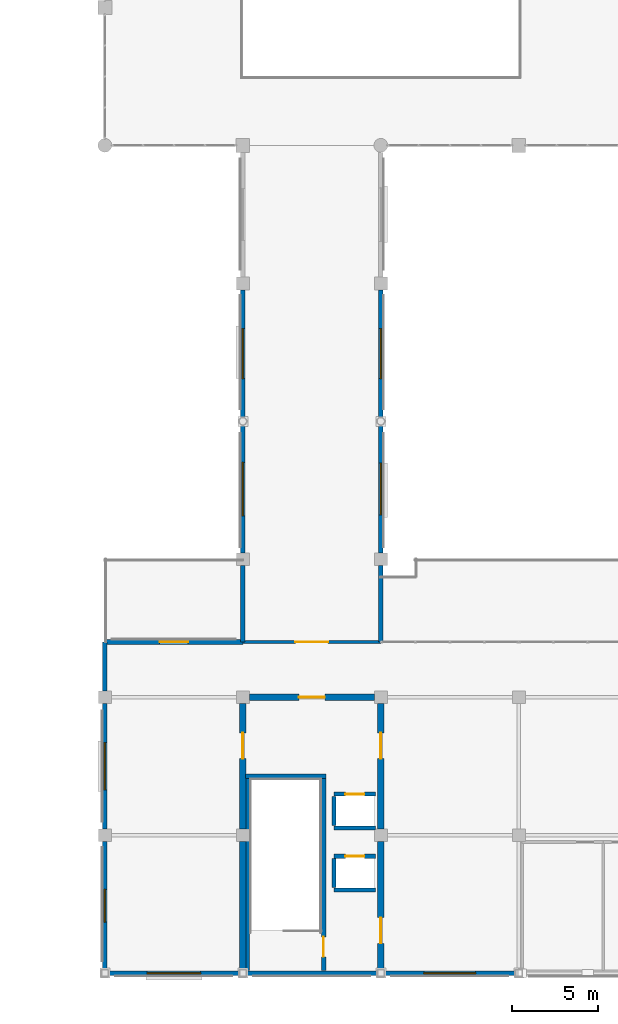
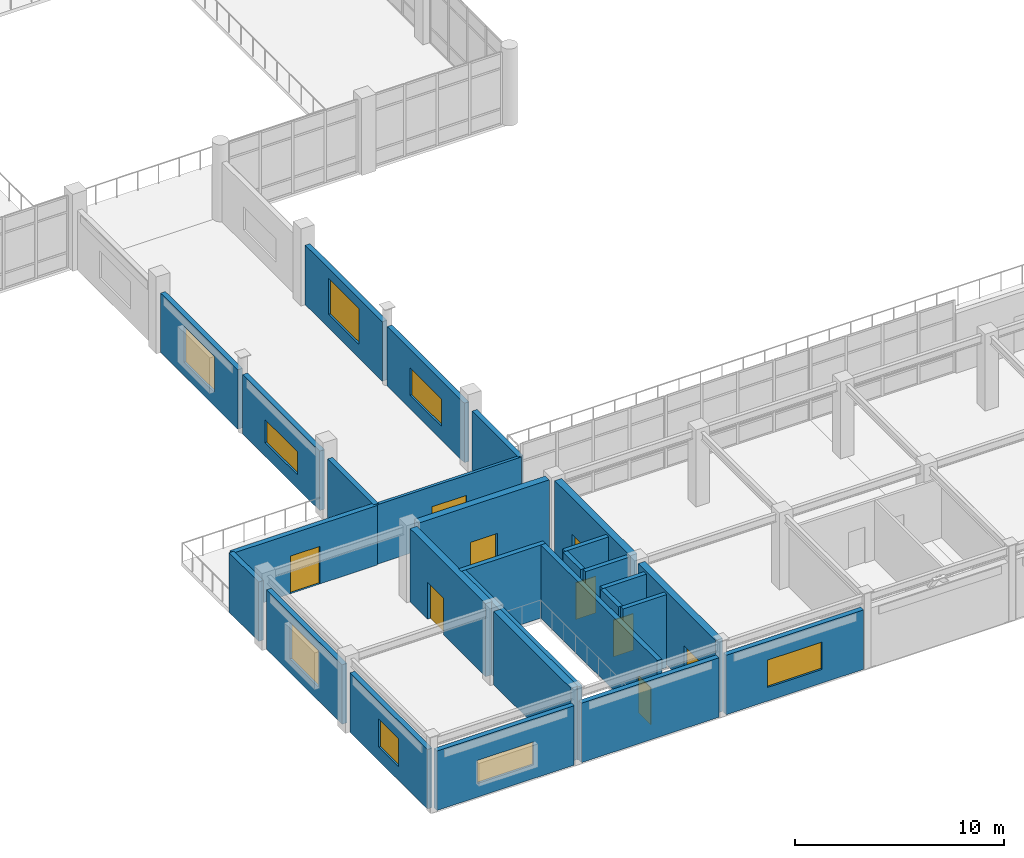
# One storey, part 31 of 42: 28 walls, 9 doors, 8 windows, 17 openings.
"""IFC4 building model written with IfcOpenShell, lengths in metres."""

from ifc_helpers import new_model, si_unit, direction, frame, frame_2d, origin, place, context, subcontext, project, spatial, rectangle, extrude, material, layer, layer_set, type_object, element, fill, save


model = new_model("IFC4")

# Units and contexts
model_context = context("Model", 3, precision=1e-05, world=origin(), true_north=direction((0.0, 1.0)))
body_context = subcontext(model_context, "Body", "Model", "MODEL_VIEW")
ifc_project = project(units=[si_unit("LENGTHUNIT", "METRE"), si_unit("AREAUNIT", "SQUARE_METRE"), si_unit("VOLUMEUNIT", "CUBIC_METRE"), si_unit("PLANEANGLEUNIT", "RADIAN"), si_unit("MASSUNIT", "GRAM", prefix="KILO")], contexts=[model_context])

# Site, building, storey
site_placement = place(None, origin())
site = spatial("IfcSite", under=ifc_project, at=site_placement, CompositionType="ELEMENT")
building_placement = place(site_placement, origin())
building = spatial("IfcBuilding", under=site, at=building_placement, Name="Solmirada Galleria", CompositionType="ELEMENT")
storey_placement = place(building_placement, frame((0.0, 0.0, 28.39990234375)))
storey = spatial("IfcBuildingStorey", under=building, at=storey_placement, Name="L06", CompositionType="ELEMENT", Elevation=28.39990234375)

# Wall, opening, door
ifc_material_1 = material(Name="Concrete C40/50", Category="concrete")
ifc_layer_1 = layer(ifc_material_1, 0.3798828125)
ifc_layer_set_1 = layer_set([ifc_layer_1], Name="Concrete C40/50")
wall_type_1 = type_object("IfcWallType", Name="WL-CORE-380", PredefinedType="SHEAR", material=ifc_layer_set_1)
wall_1_placement = place(storey_placement, frame((88.375, 16.0, 0.0), z_axis=(0.0, 0.0, 1.0), x_axis=(1.0, 0.0, 0.0)))
wall_1 = element("IfcWall", 1, at=wall_1_placement, inside=storey, type_object=wall_type_1, Name="Core C2 shear wall L06 N1", PredefinedType="SHEAR", context=body_context, shape_type="SweptSolid", body=[
    extrude(rectangle(XDim=7.25, YDim=0.3798828125, at=frame_2d((3.625, 0.0))), origin(), (0.0, 0.0, 1.0), 4.280029296875),
])
opening_1_placement = place(wall_1_placement, frame((2.875, 0.0, 0.0)))
opening_1 = element("IfcOpeningElement", 2, at=opening_1_placement, cuts=wall_1, Name="Opening LDY-165", PredefinedType="OPENING", context=body_context, shape_type="SweptSolid", body=[
    extrude(rectangle(XDim=1.5, YDim=2.14990234375, at=frame_2d((0.75, 1.074951171875))), frame((0.0, 0.199951171875, 0.0), z_axis=(0.0, -1.0, 0.0), x_axis=(1.0, 0.0, 0.0)), (0.0, 0.0, 1.0), 0.39990234375),
])
ifc_material_2 = material(Name="Fire-rated painted steel door assembly", Category="steel")
door_type_1 = type_object("IfcDoorType", Name="DR-LOBBY-150X215", OperationType="DOUBLE_DOOR_SINGLE_SWING", PredefinedType="DOOR", material=ifc_material_2)
door_1_placement = place(opening_1_placement, origin())
door_1 = element("IfcDoor", 3, at=door_1_placement, inside=storey, type_object=door_type_1, Name="Core C2 lobby access fire door LDY-165", OperationType="DOUBLE_DOOR_SINGLE_SWING", OverallHeight=2.14990234375, OverallWidth=1.5, PredefinedType="DOOR", context=body_context, shape_type="SweptSolid", body=[
    extrude(rectangle(XDim=1.5, YDim=2.14990234375, at=frame_2d((0.75, 1.074951171875))), frame((0.0, 0.02490234375, 0.0), z_axis=(0.0, -1.0, 0.0), x_axis=(1.0, 0.0, 0.0)), (0.0, 0.0, 1.0), 0.050048828125),
])
fill(opening_1, door_1)

# Wall
wall_2_placement = place(storey_placement, frame((88.0, 0.202880859375, 0.0), z_axis=(0.0, 0.0, 1.0), x_axis=(0.0, 1.0, 0.0)))
element("IfcWall", 4, at=wall_2_placement, inside=storey, type_object=wall_type_1, Name="Core C2 shear wall L06 W1", PredefinedType="SHEAR", context=body_context, shape_type="SweptSolid", body=[
    extrude(rectangle(XDim=7.422119140625, YDim=0.3798828125, at=frame_2d((3.7109375, 0.0))), origin(), (0.0, 0.0, 1.0), 4.280029296875),
])

# Wall, opening, door
wall_3_placement = place(storey_placement, frame((88.0, 8.375, 0.0), z_axis=(0.0, 0.0, 1.0), x_axis=(0.0, 1.0, 0.0)))
wall_3 = element("IfcWall", 5, at=wall_3_placement, inside=storey, type_object=wall_type_1, Name="Core C2 shear wall L06 W2", PredefinedType="SHEAR", context=body_context, shape_type="SweptSolid", body=[
    extrude(rectangle(XDim=7.25, YDim=0.3798828125, at=frame_2d((3.625, 0.0))), origin(), (0.0, 0.0, 1.0), 4.280029296875),
])
opening_2_placement = place(wall_3_placement, frame((4.06201171875, 0.0, 0.0)))
opening_2 = element("IfcOpeningElement", 6, at=opening_2_placement, cuts=wall_3, Name="Opening LDY-166", PredefinedType="OPENING", context=body_context, shape_type="SweptSolid", body=[
    extrude(rectangle(XDim=1.5, YDim=2.14990234375, at=frame_2d((0.75, 1.074951171875))), frame((0.0, 0.199951171875, 0.0), z_axis=(0.0, -1.0, 0.0), x_axis=(1.0, 0.0, 0.0)), (0.0, 0.0, 1.0), 0.39990234375),
])
door_2_placement = place(opening_2_placement, origin())
door_2 = element("IfcDoor", 7, at=door_2_placement, inside=storey, type_object=door_type_1, Name="Core C2 lobby access fire door LDY-166", OperationType="DOUBLE_DOOR_SINGLE_SWING", OverallHeight=2.14990234375, OverallWidth=1.5, PredefinedType="DOOR", context=body_context, shape_type="SweptSolid", body=[
    extrude(rectangle(XDim=1.5, YDim=2.14990234375, at=frame_2d((0.75, 1.074951171875))), frame((0.0, 0.02490234375, 0.0), z_axis=(0.0, -1.0, 0.0), x_axis=(1.0, 0.0, 0.0)), (0.0, 0.0, 1.0), 0.050048828125),
])
fill(opening_2, door_2)

wall_4_placement = place(storey_placement, frame((96.0, 0.202880859375, 0.0), z_axis=(0.0, 0.0, 1.0), x_axis=(0.0, 1.0, 0.0)))
wall_4 = element("IfcWall", 8, at=wall_4_placement, inside=storey, type_object=wall_type_1, Name="Core C2 shear wall L06 E1", PredefinedType="SHEAR", context=body_context, shape_type="SweptSolid", body=[
    extrude(rectangle(XDim=7.422119140625, YDim=0.3798828125, at=frame_2d((3.7109375, 0.0))), origin(), (0.0, 0.0, 1.0), 4.280029296875),
])
opening_3_placement = place(wall_4_placement, frame((1.52294921875, 0.0, 0.0)))
opening_3 = element("IfcOpeningElement", 9, at=opening_3_placement, cuts=wall_4, Name="Opening LDY-167", PredefinedType="OPENING", context=body_context, shape_type="SweptSolid", body=[
    extrude(rectangle(XDim=1.5, YDim=2.14990234375, at=frame_2d((0.75, 1.074951171875))), frame((0.0, 0.199951171875, 0.0), z_axis=(0.0, -1.0, 0.0), x_axis=(1.0, 0.0, 0.0)), (0.0, 0.0, 1.0), 0.39990234375),
])
door_3_placement = place(opening_3_placement, origin())
door_3 = element("IfcDoor", 10, at=door_3_placement, inside=storey, type_object=door_type_1, Name="Core C2 lobby access fire door LDY-167", OperationType="DOUBLE_DOOR_SINGLE_SWING", OverallHeight=2.14990234375, OverallWidth=1.5, PredefinedType="DOOR", context=body_context, shape_type="SweptSolid", body=[
    extrude(rectangle(XDim=1.5, YDim=2.14990234375, at=frame_2d((0.75, 1.074951171875))), frame((0.0, 0.02490234375, 0.0), z_axis=(0.0, -1.0, 0.0), x_axis=(1.0, 0.0, 0.0)), (0.0, 0.0, 1.0), 0.050048828125),
])
fill(opening_3, door_3)

wall_5_placement = place(storey_placement, frame((96.0, 8.375, 0.0), z_axis=(0.0, 0.0, 1.0), x_axis=(0.0, 1.0, 0.0)))
wall_5 = element("IfcWall", 11, at=wall_5_placement, inside=storey, type_object=wall_type_1, Name="Core C2 shear wall L06 E2", PredefinedType="SHEAR", context=body_context, shape_type="SweptSolid", body=[
    extrude(rectangle(XDim=7.25, YDim=0.3798828125, at=frame_2d((3.625, 0.0))), origin(), (0.0, 0.0, 1.0), 4.280029296875),
])
opening_4_placement = place(wall_5_placement, frame((4.06201171875, 0.0, 0.0)))
opening_4 = element("IfcOpeningElement", 12, at=opening_4_placement, cuts=wall_5, Name="Opening LDY-168", PredefinedType="OPENING", context=body_context, shape_type="SweptSolid", body=[
    extrude(rectangle(XDim=1.5, YDim=2.14990234375, at=frame_2d((0.75, 1.074951171875))), frame((0.0, 0.199951171875, 0.0), z_axis=(0.0, -1.0, 0.0), x_axis=(1.0, 0.0, 0.0)), (0.0, 0.0, 1.0), 0.39990234375),
])
door_4_placement = place(opening_4_placement, origin())
door_4 = element("IfcDoor", 13, at=door_4_placement, inside=storey, type_object=door_type_1, Name="Core C2 lobby access fire door LDY-168", OperationType="DOUBLE_DOOR_SINGLE_SWING", OverallHeight=2.14990234375, OverallWidth=1.5, PredefinedType="DOOR", context=body_context, shape_type="SweptSolid", body=[
    extrude(rectangle(XDim=1.5, YDim=2.14990234375, at=frame_2d((0.75, 1.074951171875))), frame((0.0, 0.02490234375, 0.0), z_axis=(0.0, -1.0, 0.0), x_axis=(1.0, 0.0, 0.0)), (0.0, 0.0, 1.0), 0.050048828125),
])
fill(opening_4, door_4)

# Wall, opening, window
ifc_material_3 = material(Name="Precast concrete C40/50", Category="concrete")
ifc_layer_2 = layer(ifc_material_3, 0.27001953125)
ifc_layer_set_2 = layer_set([ifc_layer_2], Name="Precast concrete C40/50")
wall_type_2 = type_object("IfcWallType", Name="WL-EXT-270", PredefinedType="STANDARD", material=ifc_layer_set_2)
wall_6_placement = place(storey_placement, frame((103.797119140625, 0.0, 0.0), z_axis=(0.0, 0.0, 1.0), x_axis=(-1.0, 0.0, 0.0)))
wall_6 = element("IfcWall", 14, at=wall_6_placement, inside=storey, type_object=wall_type_2, Name="Exterior wall L06 bay 008", PredefinedType="STANDARD", context=body_context, shape_type="SweptSolid", body=[
    extrude(rectangle(XDim=7.59423828125, YDim=0.27001953125, at=frame_2d((3.797119140625, 0.0))), origin(), (0.0, 0.0, 1.0), 3.47998046875),
])
opening_5_placement = place(wall_6_placement, frame((2.297119140625, 0.0, 0.800048828125)))
opening_5 = element("IfcOpeningElement", 15, at=opening_5_placement, cuts=wall_6, Name="Opening WN23", PredefinedType="OPENING", context=body_context, shape_type="SweptSolid", body=[
    extrude(rectangle(XDim=3.0, YDim=1.60009765625, at=frame_2d((1.5, 0.800048828125))), frame((0.0, 0.14501953125, 0.0), z_axis=(0.0, -1.0, 0.0), x_axis=(1.0, 0.0, 0.0)), (0.0, 0.0, 1.0), 0.2900390625),
])
ifc_material_4 = material(Name="Impact-resistant low-E double glazing", Category="glass")
window_type_1 = type_object("IfcWindowType", Name="WIN-RIB-300X160", PartitioningType="TRIPLE_PANEL_VERTICAL", PredefinedType="WINDOW", material=ifc_material_4)
window_1_placement = place(opening_5_placement, origin())
window_1 = element("IfcWindow", 16, at=window_1_placement, inside=storey, type_object=window_type_1, Name="Window L06-193", OverallHeight=1.60009765625, OverallWidth=3.0, PartitioningType="TRIPLE_PANEL_VERTICAL", PredefinedType="WINDOW", context=body_context, shape_type="SweptSolid", body=[
    extrude(rectangle(XDim=3.0, YDim=1.60009765625, at=frame_2d((1.5, 0.800048828125))), frame((0.0, 0.030029296875, 0.0), z_axis=(0.0, -1.0, 0.0), x_axis=(1.0, 0.0, 0.0)), (0.0, 0.0, 1.0), 0.06005859375),
])
fill(opening_5, window_1)

# Wall
wall_7_placement = place(storey_placement, frame((95.797119140625, 0.0, 0.0), z_axis=(0.0, 0.0, 1.0), x_axis=(-1.0, 0.0, 0.0)))
element("IfcWall", 17, at=wall_7_placement, inside=storey, type_object=wall_type_2, Name="Exterior wall L06 bay 009", PredefinedType="STANDARD", context=body_context, shape_type="SweptSolid", body=[
    extrude(rectangle(XDim=7.59423828125, YDim=0.27001953125, at=frame_2d((3.797119140625, 0.0))), origin(), (0.0, 0.0, 1.0), 3.47998046875),
])

# Wall, opening, window
wall_8_placement = place(storey_placement, frame((87.797119140625, 0.0, 0.0), z_axis=(0.0, 0.0, 1.0), x_axis=(-1.0, 0.0, 0.0)))
wall_8 = element("IfcWall", 18, at=wall_8_placement, inside=storey, type_object=wall_type_2, Name="Exterior wall L06 bay 010", PredefinedType="STANDARD", context=body_context, shape_type="SweptSolid", body=[
    extrude(rectangle(XDim=7.59423828125, YDim=0.27001953125, at=frame_2d((3.797119140625, 0.0))), origin(), (0.0, 0.0, 1.0), 3.47998046875),
])
opening_6_placement = place(wall_8_placement, frame((2.2470703125, 0.0, 0.800048828125)))
opening_6 = element("IfcOpeningElement", 19, at=opening_6_placement, cuts=wall_8, Name="Opening WN35", PredefinedType="OPENING", context=body_context, shape_type="SweptSolid", body=[
    extrude(rectangle(XDim=3.10009765625, YDim=1.35009765625, at=frame_2d((1.550048828125, 0.675048828125))), frame((0.0, 0.14501953125, 0.0), z_axis=(0.0, -1.0, 0.0), x_axis=(1.0, 0.0, 0.0)), (0.0, 0.0, 1.0), 0.2900390625),
])
window_type_2 = type_object("IfcWindowType", Name="WIN-CLER-310X135", PartitioningType="TRIPLE_PANEL_VERTICAL", PredefinedType="WINDOW", material=ifc_material_4)
window_2_placement = place(opening_6_placement, origin())
window_2 = element("IfcWindow", 20, at=window_2_placement, inside=storey, type_object=window_type_2, Name="Window L06-194", OverallHeight=1.35009765625, OverallWidth=3.10009765625, PartitioningType="TRIPLE_PANEL_VERTICAL", PredefinedType="WINDOW", context=body_context, shape_type="SweptSolid", body=[
    extrude(rectangle(XDim=3.10009765625, YDim=1.35009765625, at=frame_2d((1.550048828125, 0.675048828125))), frame((0.0, 0.030029296875, 0.0), z_axis=(0.0, -1.0, 0.0), x_axis=(1.0, 0.0, 0.0)), (0.0, 0.0, 1.0), 0.06005859375),
])
fill(opening_6, window_2)

wall_9_placement = place(storey_placement, frame((80.0, 0.202880859375, 0.0), z_axis=(0.0, 0.0, 1.0), x_axis=(0.0, 1.0, 0.0)))
wall_9 = element("IfcWall", 21, at=wall_9_placement, inside=storey, type_object=wall_type_2, Name="Exterior wall L06 bay 011", PredefinedType="STANDARD", context=body_context, shape_type="SweptSolid", body=[
    extrude(rectangle(XDim=7.422119140625, YDim=0.27001953125, at=frame_2d((3.7109375, 0.0))), origin(), (0.0, 0.0, 1.0), 3.47998046875),
])
opening_7_placement = place(wall_9_placement, frame((2.760986328125, 0.0, 0.800048828125)))
opening_7 = element("IfcOpeningElement", 22, at=opening_7_placement, cuts=wall_9, Name="Opening WN18", PredefinedType="OPENING", context=body_context, shape_type="SweptSolid", body=[
    extrude(rectangle(XDim=1.89990234375, YDim=1.64990234375, at=frame_2d((0.949951171875, 0.824951171875))), frame((0.0, 0.14501953125, 0.0), z_axis=(0.0, -1.0, 0.0), x_axis=(1.0, 0.0, 0.0)), (0.0, 0.0, 1.0), 0.2900390625),
])
window_type_3 = type_object("IfcWindowType", Name="WIN-FH-190X165", PartitioningType="DOUBLE_PANEL_VERTICAL", PredefinedType="WINDOW", material=ifc_material_4)
window_3_placement = place(opening_7_placement, origin())
window_3 = element("IfcWindow", 23, at=window_3_placement, inside=storey, type_object=window_type_3, Name="Window L06-195", OverallHeight=1.64990234375, OverallWidth=1.89990234375, PartitioningType="DOUBLE_PANEL_VERTICAL", PredefinedType="WINDOW", context=body_context, shape_type="SweptSolid", body=[
    extrude(rectangle(XDim=1.89990234375, YDim=1.64990234375, at=frame_2d((0.949951171875, 0.824951171875))), frame((0.0, 0.030029296875, 0.0), z_axis=(0.0, -1.0, 0.0), x_axis=(1.0, 0.0, 0.0)), (0.0, 0.0, 1.0), 0.06005859375),
])
fill(opening_7, window_3)

wall_10_placement = place(storey_placement, frame((80.0, 8.375, 0.0), z_axis=(0.0, 0.0, 1.0), x_axis=(0.0, 1.0, 0.0)))
wall_10 = element("IfcWall", 24, at=wall_10_placement, inside=storey, type_object=wall_type_2, Name="Exterior wall L06 bay 012", PredefinedType="STANDARD", context=body_context, shape_type="SweptSolid", body=[
    extrude(rectangle(XDim=7.25, YDim=0.27001953125, at=frame_2d((3.625, 0.0))), origin(), (0.0, 0.0, 1.0), 3.47998046875),
])
opening_8_placement = place(wall_10_placement, frame((2.25, 0.0, 0.800048828125)))
opening_8 = element("IfcOpeningElement", 25, at=opening_8_placement, cuts=wall_10, Name="Opening WN33", PredefinedType="OPENING", context=body_context, shape_type="SweptSolid", body=[
    extrude(rectangle(XDim=2.75, YDim=2.14990234375, at=frame_2d((1.375, 1.074951171875))), frame((0.0, 0.14501953125, 0.0), z_axis=(0.0, -1.0, 0.0), x_axis=(1.0, 0.0, 0.0)), (0.0, 0.0, 1.0), 0.2900390625),
])
window_type_4 = type_object("IfcWindowType", Name="WIN-BRAS-275X215", PartitioningType="TRIPLE_PANEL_VERTICAL", PredefinedType="WINDOW", material=ifc_material_4)
window_4_placement = place(opening_8_placement, origin())
window_4 = element("IfcWindow", 26, at=window_4_placement, inside=storey, type_object=window_type_4, Name="Window L06-196", OverallHeight=2.14990234375, OverallWidth=2.75, PartitioningType="TRIPLE_PANEL_VERTICAL", PredefinedType="WINDOW", context=body_context, shape_type="SweptSolid", body=[
    extrude(rectangle(XDim=2.75, YDim=2.14990234375, at=frame_2d((1.375, 1.074951171875))), frame((0.0, 0.030029296875, 0.0), z_axis=(0.0, -1.0, 0.0), x_axis=(1.0, 0.0, 0.0)), (0.0, 0.0, 1.0), 0.06005859375),
])
fill(opening_8, window_4)

# Wall
wall_11_placement = place(storey_placement, frame((80.0, 16.375, 0.0), z_axis=(0.0, 0.0, 1.0), x_axis=(0.0, 1.0, 0.0)))
element("IfcWall", 27, at=wall_11_placement, inside=storey, type_object=wall_type_2, Name="Exterior wall L06 bay 013", PredefinedType="STANDARD", context=body_context, shape_type="SweptSolid", body=[
    extrude(rectangle(XDim=2.824951171875, YDim=0.27001953125, at=frame_2d((1.41259765625, 0.0))), origin(), (0.0, 0.0, 1.0), 3.47998046875),
])

# Wall, opening, door
wall_12_placement = place(storey_placement, frame((80.0, 19.199951171875, 0.0), z_axis=(0.0, 0.0, 1.0), x_axis=(1.0, 0.0, 0.0)))
wall_12 = element("IfcWall", 28, at=wall_12_placement, inside=storey, type_object=wall_type_2, Name="Exterior wall L06 bay 014", PredefinedType="STANDARD", context=body_context, shape_type="SweptSolid", body=[
    extrude(rectangle(XDim=8.0, YDim=0.27001953125, at=frame_2d((4.0, 0.0))), origin(), (0.0, 0.0, 1.0), 3.47998046875),
])
opening_9_placement = place(wall_12_placement, frame((3.175048828125, 0.0, 0.0)))
opening_9 = element("IfcOpeningElement", 29, at=opening_9_placement, cuts=wall_12, Name="Opening TD-081", PredefinedType="OPENING", context=body_context, shape_type="SweptSolid", body=[
    extrude(rectangle(XDim=1.64990234375, YDim=2.199951171875, at=frame_2d((0.824951171875, 1.10009765625))), frame((0.0, 0.14501953125, 0.0), z_axis=(0.0, -1.0, 0.0), x_axis=(1.0, 0.0, 0.0)), (0.0, 0.0, 1.0), 0.2900390625),
])
ifc_material_5 = material(Name="Thermally broken aluminium and laminated glass door", Category="aluminium")
door_type_2 = type_object("IfcDoorType", Name="DR-TERR-165X220", OperationType="DOUBLE_DOOR_SINGLE_SWING", PredefinedType="DOOR", material=ifc_material_5)
door_5_placement = place(opening_9_placement, origin())
door_5 = element("IfcDoor", 30, at=door_5_placement, inside=storey, type_object=door_type_2, Name="Planted terrace access door TD-081", OperationType="DOUBLE_DOOR_SINGLE_SWING", OverallHeight=2.199951171875, OverallWidth=1.64990234375, PredefinedType="DOOR", context=body_context, shape_type="SweptSolid", body=[
    extrude(rectangle(XDim=1.64990234375, YDim=2.199951171875, at=frame_2d((0.824951171875, 1.10009765625))), frame((0.0, 0.02490234375, 0.0), z_axis=(0.0, -1.0, 0.0), x_axis=(1.0, 0.0, 0.0)), (0.0, 0.0, 1.0), 0.050048828125),
])
fill(opening_9, door_5)

# Wall
wall_13_placement = place(storey_placement, frame((88.0, 19.199951171875, 0.0), z_axis=(0.0, 0.0, 1.0), x_axis=(0.0, 1.0, 0.0)))
element("IfcWall", 31, at=wall_13_placement, inside=storey, type_object=wall_type_2, Name="Exterior wall L06 bay 015", PredefinedType="STANDARD", context=body_context, shape_type="SweptSolid", body=[
    extrude(rectangle(XDim=4.425048828125, YDim=0.27001953125, at=frame_2d((2.21240234375, 0.0))), origin(), (0.0, 0.0, 1.0), 3.47998046875),
])

# Wall, opening, window
wall_14_placement = place(storey_placement, frame((88.0, 24.375, 0.0), z_axis=(0.0, 0.0, 1.0), x_axis=(0.0, 1.0, 0.0)))
wall_14 = element("IfcWall", 32, at=wall_14_placement, inside=storey, type_object=wall_type_2, Name="Exterior wall L06 bay 016", PredefinedType="STANDARD", context=body_context, shape_type="SweptSolid", body=[
    extrude(rectangle(XDim=7.396484375, YDim=0.27001953125, at=frame_2d((3.6982421875, 0.0))), origin(), (0.0, 0.0, 1.0), 3.47998046875),
])
opening_10_placement = place(wall_14_placement, frame((2.14794921875, 0.0, 0.800048828125)))
opening_10 = element("IfcOpeningElement", 33, at=opening_10_placement, cuts=wall_14, Name="Opening WN35", PredefinedType="OPENING", context=body_context, shape_type="SweptSolid", body=[
    extrude(rectangle(XDim=3.10009765625, YDim=1.35009765625, at=frame_2d((1.550048828125, 0.675048828125))), frame((0.0, 0.14501953125, 0.0), z_axis=(0.0, -1.0, 0.0), x_axis=(1.0, 0.0, 0.0)), (0.0, 0.0, 1.0), 0.2900390625),
])
window_5_placement = place(opening_10_placement, origin())
window_5 = element("IfcWindow", 34, at=window_5_placement, inside=storey, type_object=window_type_2, Name="Window L06-197", OverallHeight=1.35009765625, OverallWidth=3.10009765625, PartitioningType="TRIPLE_PANEL_VERTICAL", PredefinedType="WINDOW", context=body_context, shape_type="SweptSolid", body=[
    extrude(rectangle(XDim=3.10009765625, YDim=1.35009765625, at=frame_2d((1.550048828125, 0.675048828125))), frame((0.0, 0.030029296875, 0.0), z_axis=(0.0, -1.0, 0.0), x_axis=(1.0, 0.0, 0.0)), (0.0, 0.0, 1.0), 0.06005859375),
])
fill(opening_10, window_5)

wall_15_placement = place(storey_placement, frame((88.0, 32.228515625, 0.0), z_axis=(0.0, 0.0, 1.0), x_axis=(0.0, 1.0, 0.0)))
wall_15 = element("IfcWall", 35, at=wall_15_placement, inside=storey, type_object=wall_type_2, Name="Exterior wall L06 bay 017", PredefinedType="STANDARD", context=body_context, shape_type="SweptSolid", body=[
    extrude(rectangle(XDim=7.396484375, YDim=0.27001953125, at=frame_2d((3.6982421875, 0.0))), origin(), (0.0, 0.0, 1.0), 3.47998046875),
])
opening_11_placement = place(wall_15_placement, frame((2.248046875, 0.0, 0.800048828125)))
opening_11 = element("IfcOpeningElement", 36, at=opening_11_placement, cuts=wall_15, Name="Opening WN34", PredefinedType="OPENING", context=body_context, shape_type="SweptSolid", body=[
    extrude(rectangle(XDim=2.89990234375, YDim=2.10009765625, at=frame_2d((1.449951171875, 1.050048828125))), frame((0.0, 0.14501953125, 0.0), z_axis=(0.0, -1.0, 0.0), x_axis=(1.0, 0.0, 0.0)), (0.0, 0.0, 1.0), 0.2900390625),
])
window_type_5 = type_object("IfcWindowType", Name="WIN-REST-290X210", PartitioningType="TRIPLE_PANEL_VERTICAL", PredefinedType="WINDOW", material=ifc_material_4)
window_6_placement = place(opening_11_placement, origin())
window_6 = element("IfcWindow", 37, at=window_6_placement, inside=storey, type_object=window_type_5, Name="Window L06-198", OverallHeight=2.10009765625, OverallWidth=2.89990234375, PartitioningType="TRIPLE_PANEL_VERTICAL", PredefinedType="WINDOW", context=body_context, shape_type="SweptSolid", body=[
    extrude(rectangle(XDim=2.89990234375, YDim=2.10009765625, at=frame_2d((1.449951171875, 1.050048828125))), frame((0.0, 0.030029296875, 0.0), z_axis=(0.0, -1.0, 0.0), x_axis=(1.0, 0.0, 0.0)), (0.0, 0.0, 1.0), 0.06005859375),
])
fill(opening_11, window_6)

wall_16_placement = place(storey_placement, frame((96.0, 39.625, 0.0), z_axis=(0.0, 0.0, 1.0), x_axis=(0.0, -1.0, 0.0)))
wall_16 = element("IfcWall", 38, at=wall_16_placement, inside=storey, type_object=wall_type_2, Name="Exterior wall L06 bay 033", PredefinedType="STANDARD", context=body_context, shape_type="SweptSolid", body=[
    extrude(rectangle(XDim=7.396484375, YDim=0.27001953125, at=frame_2d((3.6982421875, 0.0))), origin(), (0.0, 0.0, 1.0), 3.47998046875),
])
opening_12_placement = place(wall_16_placement, frame((2.248046875, 0.0, 0.800048828125)))
opening_12 = element("IfcOpeningElement", 39, at=opening_12_placement, cuts=wall_16, Name="Opening WN34", PredefinedType="OPENING", context=body_context, shape_type="SweptSolid", body=[
    extrude(rectangle(XDim=2.89990234375, YDim=2.10009765625, at=frame_2d((1.449951171875, 1.050048828125))), frame((0.0, 0.14501953125, 0.0), z_axis=(0.0, -1.0, 0.0), x_axis=(1.0, 0.0, 0.0)), (0.0, 0.0, 1.0), 0.2900390625),
])
window_7_placement = place(opening_12_placement, origin())
window_7 = element("IfcWindow", 40, at=window_7_placement, inside=storey, type_object=window_type_5, Name="Window L06-201", OverallHeight=2.10009765625, OverallWidth=2.89990234375, PartitioningType="TRIPLE_PANEL_VERTICAL", PredefinedType="WINDOW", context=body_context, shape_type="SweptSolid", body=[
    extrude(rectangle(XDim=2.89990234375, YDim=2.10009765625, at=frame_2d((1.449951171875, 1.050048828125))), frame((0.0, 0.030029296875, 0.0), z_axis=(0.0, -1.0, 0.0), x_axis=(1.0, 0.0, 0.0)), (0.0, 0.0, 1.0), 0.06005859375),
])
fill(opening_12, window_7)

wall_17_placement = place(storey_placement, frame((96.0, 31.771484375, 0.0), z_axis=(0.0, 0.0, 1.0), x_axis=(0.0, -1.0, 0.0)))
wall_17 = element("IfcWall", 41, at=wall_17_placement, inside=storey, type_object=wall_type_2, Name="Exterior wall L06 bay 034", PredefinedType="STANDARD", context=body_context, shape_type="SweptSolid", body=[
    extrude(rectangle(XDim=7.396484375, YDim=0.27001953125, at=frame_2d((3.6982421875, 0.0))), origin(), (0.0, 0.0, 1.0), 3.47998046875),
])
opening_13_placement = place(wall_17_placement, frame((2.197998046875, 0.0, 0.800048828125)))
opening_13 = element("IfcOpeningElement", 42, at=opening_13_placement, cuts=wall_17, Name="Opening WN23", PredefinedType="OPENING", context=body_context, shape_type="SweptSolid", body=[
    extrude(rectangle(XDim=3.0, YDim=1.60009765625, at=frame_2d((1.5, 0.800048828125))), frame((0.0, 0.14501953125, 0.0), z_axis=(0.0, -1.0, 0.0), x_axis=(1.0, 0.0, 0.0)), (0.0, 0.0, 1.0), 0.2900390625),
])
window_8_placement = place(opening_13_placement, origin())
window_8 = element("IfcWindow", 43, at=window_8_placement, inside=storey, type_object=window_type_1, Name="Window L06-202", OverallHeight=1.60009765625, OverallWidth=3.0, PartitioningType="TRIPLE_PANEL_VERTICAL", PredefinedType="WINDOW", context=body_context, shape_type="SweptSolid", body=[
    extrude(rectangle(XDim=3.0, YDim=1.60009765625, at=frame_2d((1.5, 0.800048828125))), frame((0.0, 0.030029296875, 0.0), z_axis=(0.0, -1.0, 0.0), x_axis=(1.0, 0.0, 0.0)), (0.0, 0.0, 1.0), 0.06005859375),
])
fill(opening_13, window_8)

# Wall
wall_18_placement = place(storey_placement, frame((96.0, 23.625, 0.0), z_axis=(0.0, 0.0, 1.0), x_axis=(0.0, -1.0, 0.0)))
element("IfcWall", 44, at=wall_18_placement, inside=storey, type_object=wall_type_2, Name="Exterior wall L06 bay 035", PredefinedType="STANDARD", context=body_context, shape_type="SweptSolid", body=[
    extrude(rectangle(XDim=4.425048828125, YDim=0.27001953125, at=frame_2d((2.21240234375, 0.0))), origin(), (0.0, 0.0, 1.0), 3.47998046875),
])

# Wall, opening, door
ifc_layer_3 = layer(ifc_material_1, 0.239990234375)
ifc_layer_set_3 = layer_set([ifc_layer_3], Name="Concrete C40/50")
wall_type_3 = type_object("IfcWallType", Name="WL-HOIST-240", PredefinedType="PARTITIONING", material=ifc_layer_set_3)
wall_19_placement = place(storey_placement, frame((93.294921875, 6.780029296875, 0.0), z_axis=(0.0, 0.0, 1.0), x_axis=(1.0, 0.0, 0.0)))
wall_19 = element("IfcWall", 45, at=wall_19_placement, inside=storey, type_object=wall_type_3, Name="Lift LP3 hoistway front wall L06", PredefinedType="PARTITIONING", context=body_context, shape_type="SweptSolid", body=[
    extrude(rectangle(XDim=2.41015625, YDim=0.239990234375, at=frame_2d((1.205078125, 0.0))), origin(), (0.0, 0.0, 1.0), 4.280029296875),
])
opening_14_placement = place(wall_19_placement, frame((0.655029296875, 0.0, 0.0)))
opening_14 = element("IfcOpeningElement", 46, at=opening_14_placement, cuts=wall_19, Name="Opening LD-LP3-L06", PredefinedType="OPENING", context=body_context, shape_type="SweptSolid", body=[
    extrude(rectangle(XDim=1.10009765625, YDim=2.14990234375, at=frame_2d((0.550048828125, 1.074951171875))), frame((0.0, 0.1298828125, 0.0), z_axis=(0.0, -1.0, 0.0), x_axis=(1.0, 0.0, 0.0)), (0.0, 0.0, 1.0), 0.260009765625),
])
ifc_material_6 = material(Name="Brushed stainless-steel sliding landing door", Category="steel")
door_type_3 = type_object("IfcDoorType", Name="DR-LIFT-110X215", OperationType="SLIDING_TO_LEFT", PredefinedType="DOOR", material=ifc_material_6)
door_6_placement = place(opening_14_placement, origin())
door_6 = element("IfcDoor", 47, at=door_6_placement, inside=storey, type_object=door_type_3, Name="Lift LP3 sliding landing door L06", OperationType="SLIDING_TO_LEFT", OverallHeight=2.14990234375, OverallWidth=1.10009765625, PredefinedType="DOOR", context=body_context, shape_type="SweptSolid", body=[
    extrude(rectangle(XDim=1.10009765625, YDim=2.14990234375, at=frame_2d((0.550048828125, 1.074951171875))), frame((0.0, 0.02490234375, 0.0), z_axis=(0.0, -1.0, 0.0), x_axis=(1.0, 0.0, 0.0)), (0.0, 0.0, 1.0), 0.050048828125),
])
fill(opening_14, door_6)

# Walls
wall_20_placement = place(storey_placement, frame((93.294921875, 4.820068359375, 0.0), z_axis=(0.0, 0.0, 1.0), x_axis=(1.0, 0.0, 0.0)))
element("IfcWall", 48, at=wall_20_placement, inside=storey, type_object=wall_type_3, Name="Lift LP3 hoistway rear wall L06", PredefinedType="PARTITIONING", context=body_context, shape_type="SweptSolid", body=[
    extrude(rectangle(XDim=2.41015625, YDim=0.239990234375, at=frame_2d((1.205078125, 0.0))), origin(), (0.0, 0.0, 1.0), 4.280029296875),
])
wall_21_placement = place(storey_placement, frame((93.294921875, 4.9599609375, 0.0), z_axis=(0.0, 0.0, 1.0), x_axis=(0.0, 1.0, 0.0)))
element("IfcWall", 49, at=wall_21_placement, inside=storey, type_object=wall_type_3, Name="Lift LP3 hoistway side wall L L06", PredefinedType="PARTITIONING", context=body_context, shape_type="SweptSolid", body=[
    extrude(rectangle(XDim=1.679931640625, YDim=0.239990234375, at=frame_2d((0.83984375, 0.0))), origin(), (0.0, 0.0, 1.0), 4.280029296875),
])

# Wall, opening, door
wall_22_placement = place(storey_placement, frame((93.294921875, 10.3798828125, 0.0), z_axis=(0.0, 0.0, 1.0), x_axis=(1.0, 0.0, 0.0)))
wall_22 = element("IfcWall", 50, at=wall_22_placement, inside=storey, type_object=wall_type_3, Name="Lift LP4 hoistway front wall L06", PredefinedType="PARTITIONING", context=body_context, shape_type="SweptSolid", body=[
    extrude(rectangle(XDim=2.41015625, YDim=0.239990234375, at=frame_2d((1.205078125, 0.0))), origin(), (0.0, 0.0, 1.0), 4.280029296875),
])
opening_15_placement = place(wall_22_placement, frame((0.655029296875, 0.0, 0.0)))
opening_15 = element("IfcOpeningElement", 51, at=opening_15_placement, cuts=wall_22, Name="Opening LD-LP4-L06", PredefinedType="OPENING", context=body_context, shape_type="SweptSolid", body=[
    extrude(rectangle(XDim=1.10009765625, YDim=2.14990234375, at=frame_2d((0.550048828125, 1.074951171875))), frame((0.0, 0.1298828125, 0.0), z_axis=(0.0, -1.0, 0.0), x_axis=(1.0, 0.0, 0.0)), (0.0, 0.0, 1.0), 0.260009765625),
])
door_7_placement = place(opening_15_placement, origin())
door_7 = element("IfcDoor", 52, at=door_7_placement, inside=storey, type_object=door_type_3, Name="Lift LP4 sliding landing door L06", OperationType="SLIDING_TO_LEFT", OverallHeight=2.14990234375, OverallWidth=1.10009765625, PredefinedType="DOOR", context=body_context, shape_type="SweptSolid", body=[
    extrude(rectangle(XDim=1.10009765625, YDim=2.14990234375, at=frame_2d((0.550048828125, 1.074951171875))), frame((0.0, 0.02490234375, 0.0), z_axis=(0.0, -1.0, 0.0), x_axis=(1.0, 0.0, 0.0)), (0.0, 0.0, 1.0), 0.050048828125),
])
fill(opening_15, door_7)

# Walls
wall_23_placement = place(storey_placement, frame((93.294921875, 8.419921875, 0.0), z_axis=(0.0, 0.0, 1.0), x_axis=(1.0, 0.0, 0.0)))
element("IfcWall", 53, at=wall_23_placement, inside=storey, type_object=wall_type_3, Name="Lift LP4 hoistway rear wall L06", PredefinedType="PARTITIONING", context=body_context, shape_type="SweptSolid", body=[
    extrude(rectangle(XDim=2.41015625, YDim=0.239990234375, at=frame_2d((1.205078125, 0.0))), origin(), (0.0, 0.0, 1.0), 4.280029296875),
])
wall_24_placement = place(storey_placement, frame((93.294921875, 8.56005859375, 0.0), z_axis=(0.0, 0.0, 1.0), x_axis=(0.0, 1.0, 0.0)))
element("IfcWall", 54, at=wall_24_placement, inside=storey, type_object=wall_type_3, Name="Lift LP4 hoistway side wall L L06", PredefinedType="PARTITIONING", context=body_context, shape_type="SweptSolid", body=[
    extrude(rectangle(XDim=1.679931640625, YDim=0.239990234375, at=frame_2d((0.83984375, 0.0))), origin(), (0.0, 0.0, 1.0), 4.280029296875),
])

# Wall, opening, door
ifc_material_7 = material(Name="Acoustic gypsum board partition")
ifc_layer_4 = layer(ifc_material_7, 0.159912109375)
ifc_layer_set_4 = layer_set([ifc_layer_4], Name="Acoustic gypsum board partition")
wall_type_4 = type_object("IfcWallType", Name="WL-PART-160", PredefinedType="PARTITIONING", material=ifc_layer_set_4)
wall_25_placement = place(storey_placement, frame((88.0, 19.199951171875, 0.0), z_axis=(0.0, 0.0, 1.0), x_axis=(1.0, 0.0, 0.0)))
wall_25 = element("IfcWall", 55, at=wall_25_placement, inside=storey, type_object=wall_type_4, Name="Partition L06-164 (South Atrium Link L06)", PredefinedType="PARTITIONING", context=body_context, shape_type="SweptSolid", body=[
    extrude(rectangle(XDim=8.0, YDim=0.159912109375, at=frame_2d((4.0, 0.0))), origin(), (0.0, 0.0, 1.0), 3.47998046875),
])
opening_16_placement = place(wall_25_placement, frame((3.050048828125, 0.0, 0.0)))
opening_16 = element("IfcOpeningElement", 56, at=opening_16_placement, cuts=wall_25, Name="Opening ID-374", PredefinedType="OPENING", context=body_context, shape_type="SweptSolid", body=[
    extrude(rectangle(XDim=1.89990234375, YDim=2.300048828125, at=frame_2d((0.949951171875, 1.14990234375))), frame((0.0, 0.08984375, 0.0), z_axis=(0.0, -1.0, 0.0), x_axis=(1.0, 0.0, 0.0)), (0.0, 0.0, 1.0), 0.179931640625),
])
ifc_material_8 = material(Name="Architectural hardwood veneer door", Category="wood")
door_type_4 = type_object("IfcDoorType", Name="DR-DEPT-190X230", OperationType="DOUBLE_DOOR_SINGLE_SWING", PredefinedType="DOOR", material=ifc_material_8)
door_8_placement = place(opening_16_placement, origin())
door_8 = element("IfcDoor", 57, at=door_8_placement, inside=storey, type_object=door_type_4, Name="South Atrium Link L06 door ID-374", OperationType="DOUBLE_DOOR_SINGLE_SWING", OverallHeight=2.300048828125, OverallWidth=1.89990234375, PredefinedType="DOOR", context=body_context, shape_type="SweptSolid", body=[
    extrude(rectangle(XDim=1.89990234375, YDim=2.300048828125, at=frame_2d((0.949951171875, 1.14990234375))), frame((0.0, 0.02490234375, 0.0), z_axis=(0.0, -1.0, 0.0), x_axis=(1.0, 0.0, 0.0)), (0.0, 0.0, 1.0), 0.050048828125),
])
fill(opening_16, door_8)

# Walls
ifc_layer_5 = layer(ifc_material_1, 0.260009765625)
ifc_layer_set_5 = layer_set([ifc_layer_5], Name="Concrete C40/50")
wall_type_5 = type_object("IfcWallType", Name="WL-SHAFT-260", PredefinedType="SHEAR", material=ifc_layer_set_5)
wall_26_placement = place(storey_placement, frame((88.139892578125, 11.429931640625, 0.0), z_axis=(0.0, 0.0, 1.0), x_axis=(1.0, 0.0, 0.0)))
element("IfcWall", 58, at=wall_26_placement, inside=storey, type_object=wall_type_5, Name="Stair ST2 enclosure wall L06 N", PredefinedType="SHEAR", context=body_context, shape_type="SweptSolid", body=[
    extrude(rectangle(XDim=4.670166015625, YDim=0.260009765625, at=frame_2d((2.3349609375, 0.0))), origin(), (0.0, 0.0, 1.0), 4.280029296875),
])
wall_27_placement = place(storey_placement, frame((88.27001953125, 0.14501953125, 0.0), z_axis=(0.0, 0.0, 1.0), x_axis=(0.0, 1.0, 0.0)))
element("IfcWall", 59, at=wall_27_placement, inside=storey, type_object=wall_type_5, Name="Stair ST2 enclosure wall L06 W", PredefinedType="SHEAR", context=body_context, shape_type="SweptSolid", body=[
    extrude(rectangle(XDim=11.155029296875, YDim=0.260009765625, at=frame_2d((5.57763671875, 0.0))), origin(), (0.0, 0.0, 1.0), 4.280029296875),
])

# Wall, opening, door
wall_28_placement = place(storey_placement, frame((92.679931640625, 0.14501953125, 0.0), z_axis=(0.0, 0.0, 1.0), x_axis=(0.0, 1.0, 0.0)))
wall_28 = element("IfcWall", 60, at=wall_28_placement, inside=storey, type_object=wall_type_5, Name="Stair ST2 enclosure wall L06 E", PredefinedType="SHEAR", context=body_context, shape_type="SweptSolid", body=[
    extrude(rectangle(XDim=11.155029296875, YDim=0.260009765625, at=frame_2d((5.57763671875, 0.0))), origin(), (0.0, 0.0, 1.0), 4.280029296875),
])
opening_17_placement = place(wall_28_placement, frame((0.804931640625, 0.0, 0.0)))
opening_17 = element("IfcOpeningElement", 61, at=opening_17_placement, cuts=wall_28, Name="Opening SD-164", PredefinedType="OPENING", context=body_context, shape_type="SweptSolid", body=[
    extrude(rectangle(XDim=1.14990234375, YDim=2.14990234375, at=frame_2d((0.574951171875, 1.074951171875))), frame((0.0, 0.139892578125, 0.0), z_axis=(0.0, -1.0, 0.0), x_axis=(1.0, 0.0, 0.0)), (0.0, 0.0, 1.0), 0.280029296875),
])
door_type_5 = type_object("IfcDoorType", Name="DR-STAIR-115X215", OperationType="NOTDEFINED", PredefinedType="DOOR", material=ifc_material_2)
door_9_placement = place(opening_17_placement, origin())
door_9 = element("IfcDoor", 62, at=door_9_placement, inside=storey, type_object=door_type_5, Name="Exit stair ST2 enclosure fire door SD-164", OperationType="SINGLE_SWING_RIGHT", OverallHeight=2.14990234375, OverallWidth=1.14990234375, PredefinedType="DOOR", context=body_context, shape_type="SweptSolid", body=[
    extrude(rectangle(XDim=1.14990234375, YDim=2.14990234375, at=frame_2d((0.574951171875, 1.074951171875))), frame((0.0, 0.02490234375, 0.0), z_axis=(0.0, -1.0, 0.0), x_axis=(1.0, 0.0, 0.0)), (0.0, 0.0, 1.0), 0.050048828125),
])
fill(opening_17, door_9)

save(model, "model.ifc")
